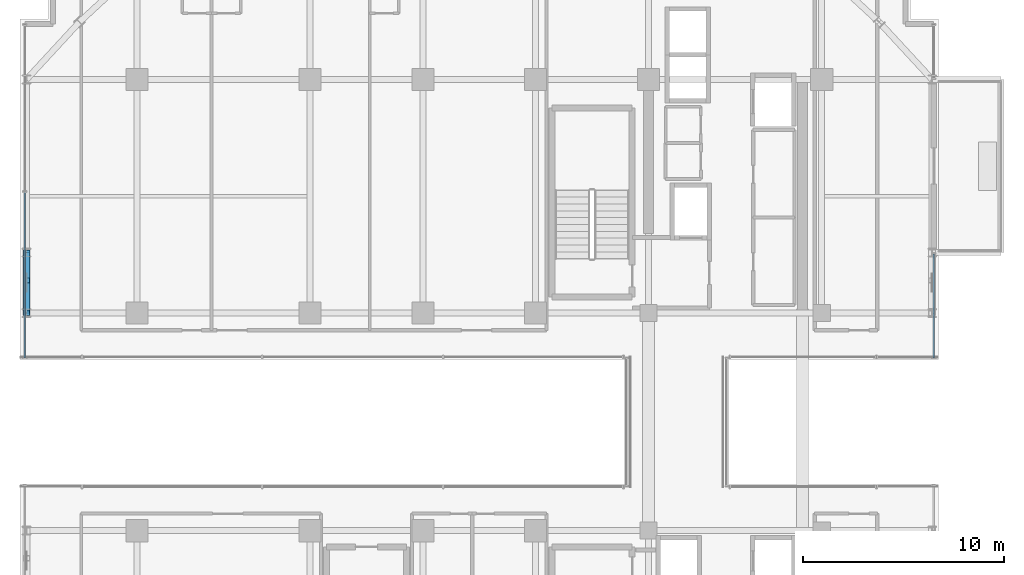
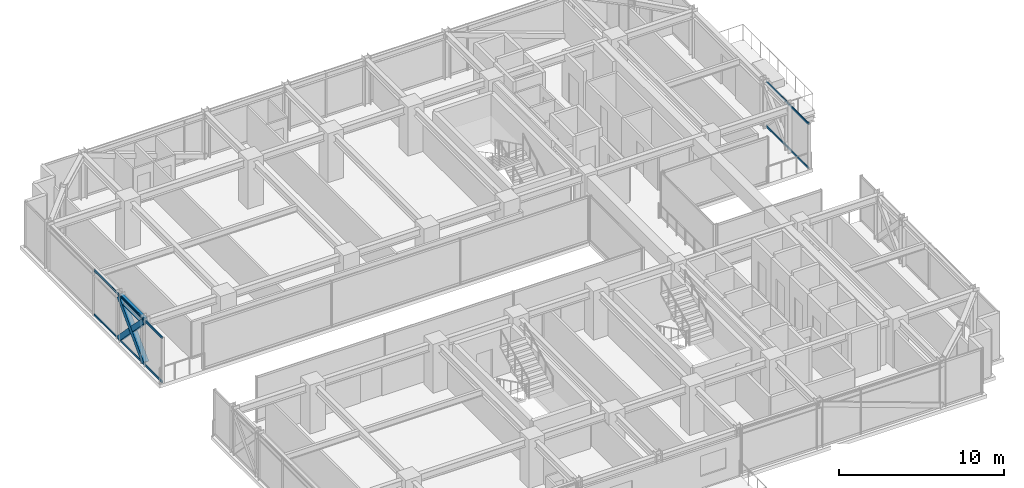
# One storey, part 18 of 38: 7 members, 1 beam, 2 elements without a shape of their own.
"""IFC4 building model written with IfcOpenShell, lengths in metres."""

import ifcopenshell
import ifcopenshell.guid

model = None  # the IFC model being written
_history = None  # IfcOwnerHistory: only IFC2X3 demands one
_inside = {}  # id of a spatial element -> (the spatial element, [elements in it])
_under = {}  # id of a project, library or spatial element -> (it, [spatial elements below it])
_declared = {}  # id of a project -> (the project, [libraries it declares])
_typed = {}  # id of a type object -> (the type object, [elements of that type])
_made_of = {}  # id of a material, layer set ... -> (it, [elements and type objects made of it])


def new_model(schema):
    """Start an empty IFC model of exactly this schema.

    Asked for "IFC4X3", IfcOpenShell would pick the latest addendum, in which some entities
    have other attributes; the version numbers below select the first issue.
    IFC2X3 requires an IfcOwnerHistory on every rooted entity: one is made here for all.
    """
    global model, _history
    if schema == "IFC4X3":
        model = ifcopenshell.file(schema_version=(4, 3, 0, 0))
    else:
        model = ifcopenshell.file(schema=schema)
    _inside.clear()
    _under.clear()
    _declared.clear()
    _typed.clear()
    _made_of.clear()
    _history = None
    if model.schema == "IFC2X3":
        org = make("IfcOrganization", Name="unknown")
        user = make(
            "IfcPersonAndOrganization",
            ThePerson=make("IfcPerson", FamilyName="unknown"),
            TheOrganization=org,
        )
        app = make(
            "IfcApplication",
            ApplicationDeveloper=org,
            Version="unknown",
            ApplicationFullName="unknown",
            ApplicationIdentifier="unknown",
        )
        _history = make(
            "IfcOwnerHistory",
            OwningUser=user,
            OwningApplication=app,
            ChangeAction="ADDED",
            CreationDate=0,
        )
    return model


def make(cls, **values):
    """One entity of the class cls with the attributes given. An attribute that is None is left unset."""
    return model.create_entity(
        cls, **{name: value for name, value in values.items() if value is not None}
    )


def rooted(cls, **values):
    """An entity with a GlobalId (a new one), such as an element, a storey or a relation."""
    return make(cls, GlobalId=ifcopenshell.guid.new(), OwnerHistory=_history, **values)


def si_unit(unit_type, name, prefix=None):
    """IfcSIUnit, for example si_unit("LENGTHUNIT", "METRE", prefix="MILLI")."""
    return make("IfcSIUnit", UnitType=unit_type, Prefix=prefix, Name=name)


def assignment(units):
    """IfcUnitAssignment: the units of a project."""
    return None if units is None else make("IfcUnitAssignment", Units=units)


def point(xyz):
    """IfcCartesianPoint."""
    return None if xyz is None else make("IfcCartesianPoint", Coordinates=xyz)


def direction(xyz):
    """IfcDirection."""
    return None if xyz is None else make("IfcDirection", DirectionRatios=xyz)


def frame(location, z_axis=None, x_axis=None):
    """IfcAxis2Placement3D, a coordinate frame: its origin and axes. An axis left out is left unset."""
    return make(
        "IfcAxis2Placement3D",
        Location=point(location),
        Axis=direction(z_axis),
        RefDirection=direction(x_axis),
    )


def frame_2d(location, x_axis=None):
    """IfcAxis2Placement2D, a coordinate frame in the plane: its origin and x axis."""
    return make(
        "IfcAxis2Placement2D", Location=point(location), RefDirection=direction(x_axis)
    )


def origin():
    """The frame at (0, 0, 0) with its axes left unset."""
    return frame((0.0, 0.0, 0.0))


def origin_2d():
    """The frame at (0, 0) in the plane with its x axis left unset."""
    return frame_2d((0.0, 0.0))


def place(relative_to, where):
    """IfcLocalPlacement: puts the frame where relative to a parent placement (None: the world)."""
    return make(
        "IfcLocalPlacement", PlacementRelTo=relative_to, RelativePlacement=where
    )


def context(
    kind, dimensions, precision=None, world=None, true_north=None, identifier=None
):
    """IfcGeometricRepresentationContext, for example the 3D "Model" context."""
    return make(
        "IfcGeometricRepresentationContext",
        ContextIdentifier=identifier,
        ContextType=kind,
        CoordinateSpaceDimension=dimensions,
        Precision=precision,
        WorldCoordinateSystem=world,
        TrueNorth=true_north,
    )


def subcontext(parent, identifier, kind, view, scale=None):
    """IfcGeometricRepresentationSubContext, for example "Body" below "Model"."""
    return make(
        "IfcGeometricRepresentationSubContext",
        ContextIdentifier=identifier,
        ContextType=kind,
        ParentContext=parent,
        TargetScale=scale,
        TargetView=view,
    )


def project(units=None, contexts=None):
    """IfcProject with its units and contexts."""
    return rooted(
        "IfcProject",
        Name="project",
        RepresentationContexts=contexts,
        UnitsInContext=assignment(units),
    )


def spatial(cls, under=None, at=None, **own):
    """A site, building, storey or space (cls), placed at a placement, below another one or the project."""
    s = rooted(cls, ObjectPlacement=at, **own)
    if under is not None:
        _under.setdefault(under.id(), (under, []))[1].append(s)
    return s


def profile(cls, at=None, kind="AREA", **sizes):
    """A parametric profile (cls). Its sizes go by their IFC names, for example OverallWidth=200.0."""
    return make(cls, ProfileType=kind, Position=at, **sizes)


def hollow_rectangle(**sizes):
    """IfcRectangleHollowProfileDef."""
    return profile("IfcRectangleHollowProfileDef", **sizes)


def i_section(**sizes):
    """IfcIShapeProfileDef."""
    return profile("IfcIShapeProfileDef", **sizes)


def extrude(swept, where, along, depth):
    """IfcExtrudedAreaSolid: the profile swept, set in the frame where, extruded along a direction by depth."""
    return make(
        "IfcExtrudedAreaSolid",
        SweptArea=swept,
        Position=where,
        ExtrudedDirection=direction(along),
        Depth=depth,
    )


def shape(context_of_items, identifier, shape_type, items):
    """IfcShapeRepresentation: the items that make up one representation, for example the "Body"."""
    return make(
        "IfcShapeRepresentation",
        ContextOfItems=context_of_items,
        RepresentationIdentifier=identifier,
        RepresentationType=shape_type,
        Items=items,
    )


def source(mapping_origin, context_of_items, identifier, shape_type, items):
    """IfcRepresentationMap: a shape defined once, which mapped items show again and again."""
    return make(
        "IfcRepresentationMap",
        MappingOrigin=mapping_origin,
        MappedRepresentation=shape(context_of_items, identifier, shape_type, items),
    )


def transform(
    local_origin,
    x_axis=None,
    y_axis=None,
    z_axis=None,
    scale=None,
    scale2=None,
    scale3=None,
    uniform=True,
):
    """IfcCartesianTransformationOperator3D, or its non-uniform kind. x_axis, y_axis, z_axis: its Axis1, 2, 3."""
    if uniform:
        return make(
            "IfcCartesianTransformationOperator3D",
            Axis1=direction(x_axis),
            Axis2=direction(y_axis),
            LocalOrigin=point(local_origin),
            Scale=scale,
            Axis3=direction(z_axis),
        )
    return make(
        "IfcCartesianTransformationOperator3DnonUniform",
        Axis1=direction(x_axis),
        Axis2=direction(y_axis),
        LocalOrigin=point(local_origin),
        Scale=scale,
        Axis3=direction(z_axis),
        Scale2=scale2,
        Scale3=scale3,
    )


def mapped(mapping_source, mapping_target):
    """IfcMappedItem: shows the shape of a source again, moved by a transform."""
    return make(
        "IfcMappedItem", MappingSource=mapping_source, MappingTarget=mapping_target
    )


def material(Name=None, Category=None):
    """IfcMaterial."""
    return make("IfcMaterial", Name=Name, Category=Category)


def material_profile(
    of_material, cross_section, Name=None, Category=None, Priority=None
):
    """IfcMaterialProfile: a cross section and its material."""
    return make(
        "IfcMaterialProfile",
        Name=Name,
        Material=of_material,
        Profile=cross_section,
        Priority=Priority,
        Category=Category,
    )


def profile_set(profiles, Name=None, composite=None):
    """IfcMaterialProfileSet."""
    return make(
        "IfcMaterialProfileSet",
        Name=Name,
        MaterialProfiles=profiles,
        CompositeProfile=composite,
    )


def made_of(thing, what):
    """Note that an element or type object is made of a material, layer set ...; save() writes the relation."""
    if what is not None:
        _made_of.setdefault(what.id(), (what, []))[1].append(thing)
    return thing


def type_object(cls, material=None, **own):
    """A type object (cls), such as IfcWallType, which elements share."""
    return made_of(rooted(cls, **own), material)


def element(
    cls,
    number,
    at=None,
    inside=None,
    cuts=None,
    type_object=None,
    material=None,
    context=None,
    identifier="Body",
    shape_type=None,
    held_by="IfcProductDefinitionShape",
    body=None,
    shapes=None,
    **own,
):
    """One element of the class cls, such as IfcWall. Its Tag is "e" and its number.

    at: its placement. inside: the storey or other place that contains it. cuts: it is an
    opening in that element (IfcRelVoidsElement). A single representation is given by context,
    identifier, shape_type and body (its items); several are given by shapes. held_by: the class
    of the entity that holds the representations. save() writes the other relations.
    """
    e = rooted(cls, Tag="e%d" % number, ObjectPlacement=at, **own)
    if body is not None:
        shapes = [shape(context, identifier, shape_type, body)]
    if shapes is not None:
        e.Representation = make(held_by, Representations=shapes)
    if inside is not None:
        _inside.setdefault(inside.id(), (inside, []))[1].append(e)
    if cuts is not None:
        rooted(
            "IfcRelVoidsElement", RelatingBuildingElement=cuts, RelatedOpeningElement=e
        )
    if type_object is not None:
        _typed.setdefault(type_object.id(), (type_object, []))[1].append(e)
    return made_of(e, material)


def aggregate(whole, parts):
    """IfcRelAggregates: a whole, such as a stair, and the parts it consists of."""
    return rooted("IfcRelAggregates", RelatingObject=whole, RelatedObjects=parts)


def save(model, path):
    """Write the relations noted so far, then the file.

    IfcRelAggregates (storeys below a building ...), IfcRelContainedInSpatialStructure (elements
    in a storey), IfcRelDefinesByType, IfcRelAssociatesMaterial and IfcRelDeclares: one each for
    every whole, place, type object, material and project.
    """
    for whole, parts in _under.values():
        aggregate(whole, parts)
    for where, things in _inside.values():
        rooted(
            "IfcRelContainedInSpatialStructure",
            RelatedElements=things,
            RelatingStructure=where,
        )
    for kind, things in _typed.values():
        rooted("IfcRelDefinesByType", RelatedObjects=things, RelatingType=kind)
    for what, things in _made_of.values():
        rooted("IfcRelAssociatesMaterial", RelatedObjects=things, RelatingMaterial=what)
    for by, libraries in _declared.values():
        rooted("IfcRelDeclares", RelatingContext=by, RelatedDefinitions=libraries)
    model.write(path)


model = new_model("IFC4")

# Units and contexts
model_context = context("Model", 3, precision=1e-05, world=origin(), true_north=direction((0.0, 1.0)))
body_context = subcontext(model_context, "Body", "Model", "MODEL_VIEW")
ifc_project = project(units=[si_unit("LENGTHUNIT", "METRE"), si_unit("AREAUNIT", "SQUARE_METRE"), si_unit("VOLUMEUNIT", "CUBIC_METRE"), si_unit("PLANEANGLEUNIT", "RADIAN"), si_unit("MASSUNIT", "GRAM", prefix="KILO")], contexts=[model_context])

# Site, building, storey
site_placement = place(None, origin())
site = spatial("IfcSite", under=ifc_project, at=site_placement, CompositionType="ELEMENT")
building_placement = place(site_placement, origin())
building = spatial("IfcBuilding", under=site, at=building_placement, Name="Nahalor Promenade Grand Hotel", CompositionType="ELEMENT")
storey_placement = place(building_placement, frame((0.0, 0.0, 163.60009765625)))
storey = spatial("IfcBuildingStorey", under=building, at=storey_placement, Name="L41", CompositionType="ELEMENT", Elevation=163.60009765625)

# Beam
ifc_material_1 = material(Name="Steel S355JR", Category="steel")
ifc_material_profile_1 = material_profile(ifc_material_1, i_section(OverallWidth=0.3, OverallDepth=0.45, WebThickness=0.014, FlangeThickness=0.026, at=origin_2d()), Name="HEB 450")
ifc_profile_set_1 = profile_set([ifc_material_profile_1], Name="Steel S355JR")
beam_type = type_object("IfcBeamType", Name="Beam-Spandrel-HEB450", PredefinedType="SPANDREL", material=ifc_profile_set_1)
shared_shape_1 = source(origin(), body_context, "Body", "SweptSolid", [
    extrude(i_section(OverallWidth=0.3, OverallDepth=0.45, WebThickness=0.014, FlangeThickness=0.026, at=origin_2d()), origin(), (0.0, 0.0, 1.0), 3.0),
])
beam_placement = place(storey_placement, frame((-22.47998046875, 5.39990234375, 3.164794921875), z_axis=(0.0, 1.0, 0.0), x_axis=(-1.0, 0.0, 0.0)))
element("IfcBeam", 1, at=beam_placement, inside=storey, type_object=beam_type, Name="BM-L41-SP-W-3", PredefinedType="SPANDREL", context=body_context, shape_type="MappedRepresentation", body=[
    mapped(shared_shape_1, transform((0.0, 0.0, 0.0), scale=1.0)),
])

# Members
ifc_material_profile_2 = material_profile(ifc_material_1, hollow_rectangle(XDim=0.35, YDim=0.35, WallThickness=0.02, at=origin_2d()), Name="SHS 350x350x20")
ifc_profile_set_2 = profile_set([ifc_material_profile_2], Name="Steel S355JR")
member_type_1 = type_object("IfcMemberType", Name="Mem-VoidBrace-SHS350", PredefinedType="BRACE", material=ifc_profile_set_2)
shared_shape_2 = source(origin(), body_context, "Body", "SweptSolid", [
    extrude(hollow_rectangle(XDim=0.35, YDim=0.35, WallThickness=0.02, at=origin_2d()), origin(), (0.0, 0.0, 1.0), 1.96630859375),
])
member_1_placement = place(storey_placement, frame((-22.47998046875, 8.39990234375, 0.14990234375), z_axis=(0.0, -0.696537426897, 0.717520461682), x_axis=(1.0, 0.0, 0.0)))
element("IfcMember", 2, at=member_1_placement, inside=storey, type_object=member_type_1, Name="EXO-L41-VX2-W1A", PredefinedType="BRACE", context=body_context, shape_type="MappedRepresentation", body=[
    mapped(shared_shape_2, transform((0.0, 0.0, 0.0), scale=1.0)),
])
shared_shape_3 = source(origin(), body_context, "Body", "SweptSolid", [
    extrude(hollow_rectangle(XDim=0.35, YDim=0.35, WallThickness=0.02, at=origin_2d()), origin(), (0.0, 0.0, 1.0), 4.306884765625),
])
member_2_placement = place(storey_placement, frame((-22.47998046875, 5.39990234375, 0.14990234375), z_axis=(0.0, 0.696570665899, 0.717488193219), x_axis=(-1.0, 0.0, 0.0)))
element("IfcMember", 3, at=member_2_placement, inside=storey, type_object=member_type_1, Name="EXO-L41-VX1-W1", PredefinedType="BRACE", context=body_context, shape_type="MappedRepresentation", body=[
    mapped(shared_shape_3, transform((0.0, 0.0, 0.0), scale=1.0)),
])
shared_shape_4 = source(origin(), body_context, "Body", "SweptSolid", [
    extrude(hollow_rectangle(XDim=0.35, YDim=0.35, WallThickness=0.02, at=origin_2d()), origin(), (0.0, 0.0, 1.0), 1.966552734375),
])
member_3_placement = place(storey_placement, frame((-22.47998046875, 6.769775390625, 1.8291015625), z_axis=(0.0, -0.696601340579, 0.71745841155), x_axis=(1.0, 0.0, 0.0)))
element("IfcMember", 4, at=member_3_placement, inside=storey, type_object=member_type_1, Name="EXO-L41-VX2-W1B", PredefinedType="BRACE", context=body_context, shape_type="MappedRepresentation", body=[
    mapped(shared_shape_4, transform((0.0, 0.0, 0.0), scale=1.0)),
])

# Curtain wall, members
ifc_material_2 = material(Name="Anodised Bronze Aluminium EN AW-6063 T6", Category="aluminium")
curtain_wall_type = type_object("IfcCurtainWallType", Name="CW3 Elliptical-Void Collar Unitised Curtain Wall", PredefinedType="USERDEFINED", material=ifc_material_2)
curtain_wall_1_placement = place(storey_placement, origin())
curtain_wall_1 = element("IfcCurtainWall", 5, at=curtain_wall_1_placement, inside=storey, type_object=curtain_wall_type, Name="L41 Curtain Wall CW-L41-E-2", ObjectType="UNITISED_CURTAIN_WALL", PredefinedType="USERDEFINED")
ifc_material_profile_3 = material_profile(ifc_material_2, hollow_rectangle(XDim=0.07, YDim=0.14, WallThickness=0.004, at=origin_2d()), Name="CWT 70x140x4")
ifc_profile_set_3 = profile_set([ifc_material_profile_3], Name="Anodised Bronze Aluminium EN AW-6063 T6")
member_type_2 = type_object("IfcMemberType", Name="CWT3 Void Collar Transom 70x140", PredefinedType="USERDEFINED", material=ifc_profile_set_3)
shared_shape_5 = source(origin(), body_context, "Body", "SweptSolid", [
    extrude(hollow_rectangle(XDim=0.07, YDim=0.14, WallThickness=0.004, at=origin_2d()), origin(), (0.0, 0.0, 1.0), 5.16015625),
])
member_4_placement = place(storey_placement, frame((22.56005859375, 3.169921875, 0.06982421875), z_axis=(0.0, 1.0, 0.0), x_axis=(-1.0, 0.0, 0.0)))
member_4 = element("IfcMember", 6, at=member_4_placement, type_object=member_type_2, Name="CW-L41-E-2 Transom 0-0", ObjectType="TRANSOM", PredefinedType="USERDEFINED", context=body_context, shape_type="MappedRepresentation", body=[
    mapped(shared_shape_5, transform((0.0, 0.0, 0.0), scale=1.0)),
])
member_5_placement = place(storey_placement, frame((22.56005859375, 3.169921875, 3.31982421875), z_axis=(0.0, 1.0, 0.0), x_axis=(-1.0, 0.0, 0.0)))
member_5 = element("IfcMember", 7, at=member_5_placement, type_object=member_type_2, Name="CW-L41-E-2 Transom 0-1", ObjectType="TRANSOM", PredefinedType="USERDEFINED", context=body_context, shape_type="MappedRepresentation", body=[
    mapped(shared_shape_5, transform((0.0, 0.0, 0.0), scale=1.0)),
])
aggregate(curtain_wall_1, [member_4, member_5])

curtain_wall_2_placement = place(storey_placement, origin())
curtain_wall_2 = element("IfcCurtainWall", 8, at=curtain_wall_2_placement, inside=storey, type_object=curtain_wall_type, Name="L41 Curtain Wall CW-L41-W-2", ObjectType="UNITISED_CURTAIN_WALL", PredefinedType="USERDEFINED")
shared_shape_6 = source(origin(), body_context, "Body", "SweptSolid", [
    extrude(hollow_rectangle(XDim=0.07, YDim=0.14, WallThickness=0.004, at=origin_2d()), origin(), (0.0, 0.0, 1.0), 8.22509765625),
])
member_6_placement = place(storey_placement, frame((-22.56005859375, 3.169921875, 0.06982421875), z_axis=(0.0, 1.0, 0.0), x_axis=(-1.0, 0.0, 0.0)))
member_6 = element("IfcMember", 9, at=member_6_placement, type_object=member_type_2, Name="CW-L41-W-2 Transom 0-0", ObjectType="TRANSOM", PredefinedType="USERDEFINED", context=body_context, shape_type="MappedRepresentation", body=[
    mapped(shared_shape_6, transform((0.0, 0.0, 0.0), scale=1.0)),
])
member_7_placement = place(storey_placement, frame((-22.56005859375, 3.169921875, 3.31982421875), z_axis=(0.0, 1.0, 0.0), x_axis=(-1.0, 0.0, 0.0)))
member_7 = element("IfcMember", 10, at=member_7_placement, type_object=member_type_2, Name="CW-L41-W-2 Transom 0-1", ObjectType="TRANSOM", PredefinedType="USERDEFINED", context=body_context, shape_type="MappedRepresentation", body=[
    mapped(shared_shape_6, transform((0.0, 0.0, 0.0), scale=1.0)),
])
aggregate(curtain_wall_2, [member_6, member_7])

save(model, "model.ifc")
